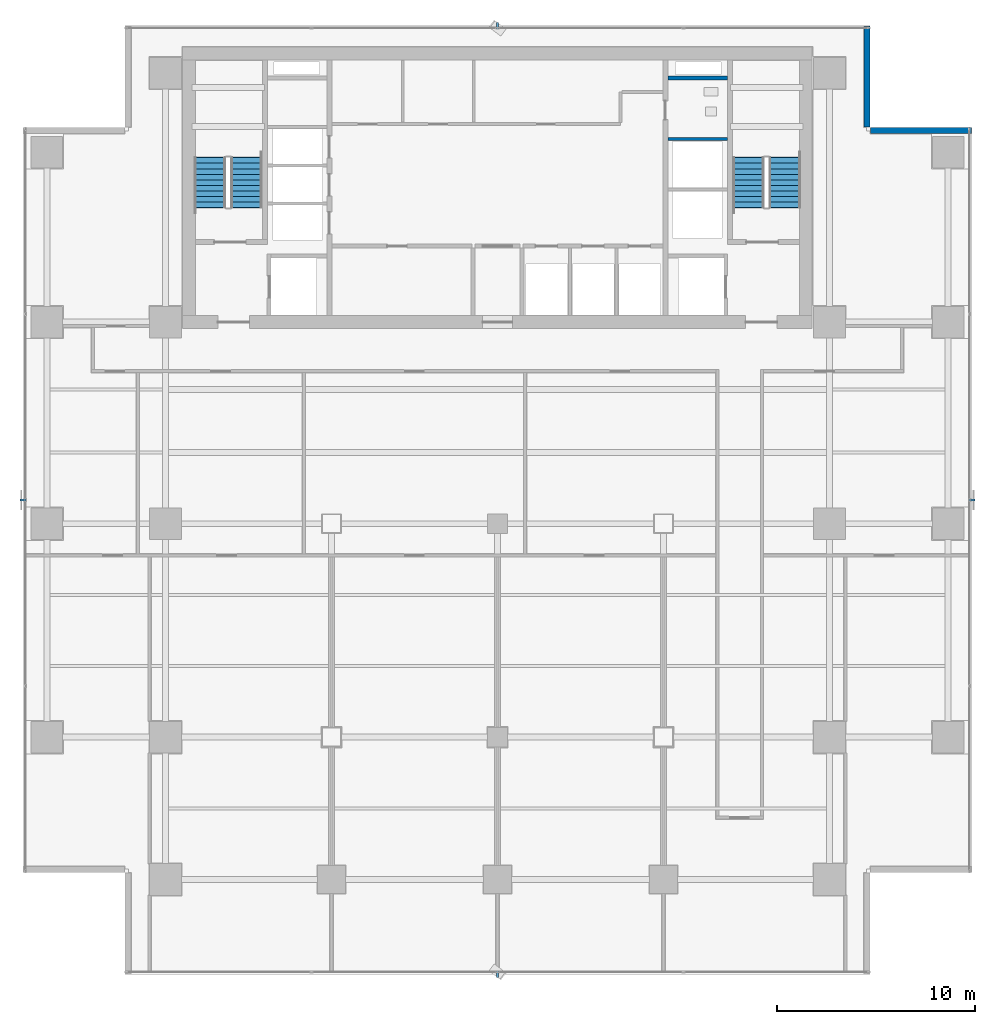
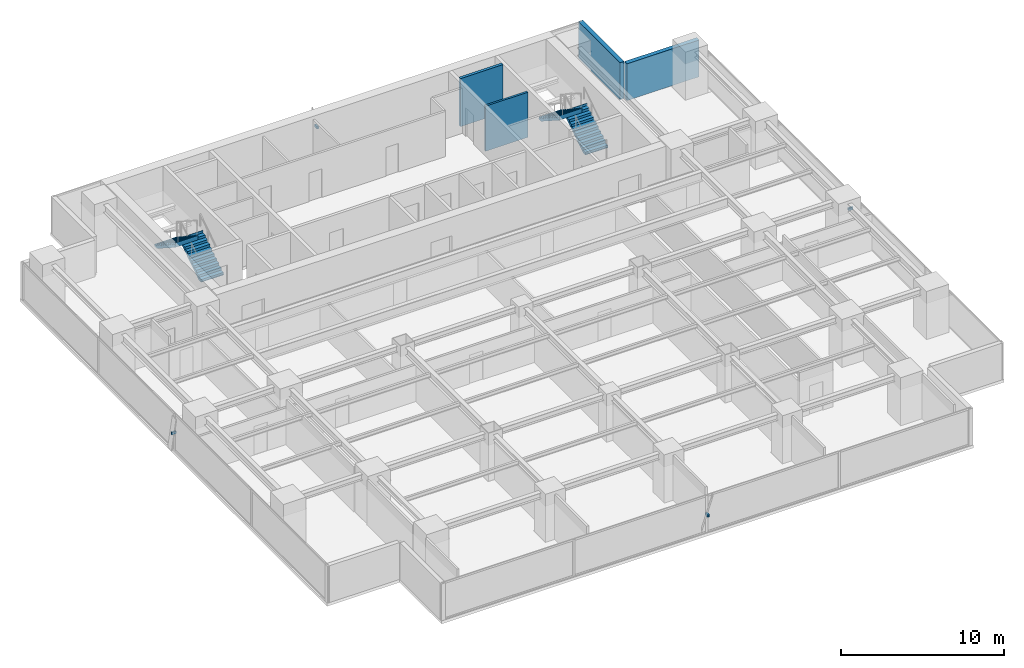
# One storey, part 23 of 28: 4 discrete accessories, 4 stair flights, 4 walls, 2 elements without a shape of their own.
"""IFC4 building model written with IfcOpenShell, lengths in metres."""

import ifcopenshell
import ifcopenshell.guid

model = None  # the IFC model being written
_history = None  # IfcOwnerHistory: only IFC2X3 demands one
_inside = {}  # id of a spatial element -> (the spatial element, [elements in it])
_under = {}  # id of a project, library or spatial element -> (it, [spatial elements below it])
_declared = {}  # id of a project -> (the project, [libraries it declares])
_typed = {}  # id of a type object -> (the type object, [elements of that type])
_made_of = {}  # id of a material, layer set ... -> (it, [elements and type objects made of it])


def new_model(schema):
    """Start an empty IFC model of exactly this schema.

    Asked for "IFC4X3", IfcOpenShell would pick the latest addendum, in which some entities
    have other attributes; the version numbers below select the first issue.
    IFC2X3 requires an IfcOwnerHistory on every rooted entity: one is made here for all.
    """
    global model, _history
    if schema == "IFC4X3":
        model = ifcopenshell.file(schema_version=(4, 3, 0, 0))
    else:
        model = ifcopenshell.file(schema=schema)
    _inside.clear()
    _under.clear()
    _declared.clear()
    _typed.clear()
    _made_of.clear()
    _history = None
    if model.schema == "IFC2X3":
        org = make("IfcOrganization", Name="unknown")
        user = make(
            "IfcPersonAndOrganization",
            ThePerson=make("IfcPerson", FamilyName="unknown"),
            TheOrganization=org,
        )
        app = make(
            "IfcApplication",
            ApplicationDeveloper=org,
            Version="unknown",
            ApplicationFullName="unknown",
            ApplicationIdentifier="unknown",
        )
        _history = make(
            "IfcOwnerHistory",
            OwningUser=user,
            OwningApplication=app,
            ChangeAction="ADDED",
            CreationDate=0,
        )
    return model


def make(cls, **values):
    """One entity of the class cls with the attributes given. An attribute that is None is left unset."""
    return model.create_entity(
        cls, **{name: value for name, value in values.items() if value is not None}
    )


def rooted(cls, **values):
    """An entity with a GlobalId (a new one), such as an element, a storey or a relation."""
    return make(cls, GlobalId=ifcopenshell.guid.new(), OwnerHistory=_history, **values)


def si_unit(unit_type, name, prefix=None):
    """IfcSIUnit, for example si_unit("LENGTHUNIT", "METRE", prefix="MILLI")."""
    return make("IfcSIUnit", UnitType=unit_type, Prefix=prefix, Name=name)


def assignment(units):
    """IfcUnitAssignment: the units of a project."""
    return None if units is None else make("IfcUnitAssignment", Units=units)


def point(xyz):
    """IfcCartesianPoint."""
    return None if xyz is None else make("IfcCartesianPoint", Coordinates=xyz)


def direction(xyz):
    """IfcDirection."""
    return None if xyz is None else make("IfcDirection", DirectionRatios=xyz)


def frame(location, z_axis=None, x_axis=None):
    """IfcAxis2Placement3D, a coordinate frame: its origin and axes. An axis left out is left unset."""
    return make(
        "IfcAxis2Placement3D",
        Location=point(location),
        Axis=direction(z_axis),
        RefDirection=direction(x_axis),
    )


def frame_2d(location, x_axis=None):
    """IfcAxis2Placement2D, a coordinate frame in the plane: its origin and x axis."""
    return make(
        "IfcAxis2Placement2D", Location=point(location), RefDirection=direction(x_axis)
    )


def origin():
    """The frame at (0, 0, 0) with its axes left unset."""
    return frame((0.0, 0.0, 0.0))


def origin_2d():
    """The frame at (0, 0) in the plane with its x axis left unset."""
    return frame_2d((0.0, 0.0))


def place(relative_to, where):
    """IfcLocalPlacement: puts the frame where relative to a parent placement (None: the world)."""
    return make(
        "IfcLocalPlacement", PlacementRelTo=relative_to, RelativePlacement=where
    )


def context(
    kind, dimensions, precision=None, world=None, true_north=None, identifier=None
):
    """IfcGeometricRepresentationContext, for example the 3D "Model" context."""
    return make(
        "IfcGeometricRepresentationContext",
        ContextIdentifier=identifier,
        ContextType=kind,
        CoordinateSpaceDimension=dimensions,
        Precision=precision,
        WorldCoordinateSystem=world,
        TrueNorth=true_north,
    )


def subcontext(parent, identifier, kind, view, scale=None):
    """IfcGeometricRepresentationSubContext, for example "Body" below "Model"."""
    return make(
        "IfcGeometricRepresentationSubContext",
        ContextIdentifier=identifier,
        ContextType=kind,
        ParentContext=parent,
        TargetScale=scale,
        TargetView=view,
    )


def project(units=None, contexts=None):
    """IfcProject with its units and contexts."""
    return rooted(
        "IfcProject",
        Name="project",
        RepresentationContexts=contexts,
        UnitsInContext=assignment(units),
    )


def spatial(cls, under=None, at=None, **own):
    """A site, building, storey or space (cls), placed at a placement, below another one or the project."""
    s = rooted(cls, ObjectPlacement=at, **own)
    if under is not None:
        _under.setdefault(under.id(), (under, []))[1].append(s)
    return s


def polyline(points):
    """IfcPolyline through the points."""
    return make("IfcPolyline", Points=[point(p) for p in points])


def profile(cls, at=None, kind="AREA", **sizes):
    """A parametric profile (cls). Its sizes go by their IFC names, for example OverallWidth=200.0."""
    return make(cls, ProfileType=kind, Position=at, **sizes)


def rectangle(**sizes):
    """IfcRectangleProfileDef."""
    return profile("IfcRectangleProfileDef", **sizes)


def outline(outer, holes=None, kind="AREA"):
    """IfcArbitraryClosedProfileDef: a profile drawn as a closed curve; with holes, ...WithVoids."""
    if holes is None:
        return make("IfcArbitraryClosedProfileDef", ProfileType=kind, OuterCurve=outer)
    return make(
        "IfcArbitraryProfileDefWithVoids",
        ProfileType=kind,
        OuterCurve=outer,
        InnerCurves=holes,
    )


def extrude(swept, where, along, depth):
    """IfcExtrudedAreaSolid: the profile swept, set in the frame where, extruded along a direction by depth."""
    return make(
        "IfcExtrudedAreaSolid",
        SweptArea=swept,
        Position=where,
        ExtrudedDirection=direction(along),
        Depth=depth,
    )


def shape(context_of_items, identifier, shape_type, items):
    """IfcShapeRepresentation: the items that make up one representation, for example the "Body"."""
    return make(
        "IfcShapeRepresentation",
        ContextOfItems=context_of_items,
        RepresentationIdentifier=identifier,
        RepresentationType=shape_type,
        Items=items,
    )


def source(mapping_origin, context_of_items, identifier, shape_type, items):
    """IfcRepresentationMap: a shape defined once, which mapped items show again and again."""
    return make(
        "IfcRepresentationMap",
        MappingOrigin=mapping_origin,
        MappedRepresentation=shape(context_of_items, identifier, shape_type, items),
    )


def transform(
    local_origin,
    x_axis=None,
    y_axis=None,
    z_axis=None,
    scale=None,
    scale2=None,
    scale3=None,
    uniform=True,
):
    """IfcCartesianTransformationOperator3D, or its non-uniform kind. x_axis, y_axis, z_axis: its Axis1, 2, 3."""
    if uniform:
        return make(
            "IfcCartesianTransformationOperator3D",
            Axis1=direction(x_axis),
            Axis2=direction(y_axis),
            LocalOrigin=point(local_origin),
            Scale=scale,
            Axis3=direction(z_axis),
        )
    return make(
        "IfcCartesianTransformationOperator3DnonUniform",
        Axis1=direction(x_axis),
        Axis2=direction(y_axis),
        LocalOrigin=point(local_origin),
        Scale=scale,
        Axis3=direction(z_axis),
        Scale2=scale2,
        Scale3=scale3,
    )


def mapped(mapping_source, mapping_target):
    """IfcMappedItem: shows the shape of a source again, moved by a transform."""
    return make(
        "IfcMappedItem", MappingSource=mapping_source, MappingTarget=mapping_target
    )


def material(Name=None, Category=None):
    """IfcMaterial."""
    return make("IfcMaterial", Name=Name, Category=Category)


def layer(
    of_material, thickness, ventilated=None, Name=None, Category=None, Priority=None
):
    """IfcMaterialLayer: one layer of a wall or slab, of a material (None: an air gap)."""
    return make(
        "IfcMaterialLayer",
        Material=of_material,
        LayerThickness=thickness,
        IsVentilated=ventilated,
        Name=Name,
        Category=Category,
        Priority=Priority,
    )


def layer_set(layers, Name=None):
    """IfcMaterialLayerSet."""
    return make("IfcMaterialLayerSet", MaterialLayers=layers, LayerSetName=Name)


def material_profile(
    of_material, cross_section, Name=None, Category=None, Priority=None
):
    """IfcMaterialProfile: a cross section and its material."""
    return make(
        "IfcMaterialProfile",
        Name=Name,
        Material=of_material,
        Profile=cross_section,
        Priority=Priority,
        Category=Category,
    )


def profile_set(profiles, Name=None, composite=None):
    """IfcMaterialProfileSet."""
    return make(
        "IfcMaterialProfileSet",
        Name=Name,
        MaterialProfiles=profiles,
        CompositeProfile=composite,
    )


def made_of(thing, what):
    """Note that an element or type object is made of a material, layer set ...; save() writes the relation."""
    if what is not None:
        _made_of.setdefault(what.id(), (what, []))[1].append(thing)
    return thing


def type_object(cls, material=None, **own):
    """A type object (cls), such as IfcWallType, which elements share."""
    return made_of(rooted(cls, **own), material)


def element(
    cls,
    number,
    at=None,
    inside=None,
    cuts=None,
    type_object=None,
    material=None,
    context=None,
    identifier="Body",
    shape_type=None,
    held_by="IfcProductDefinitionShape",
    body=None,
    shapes=None,
    **own,
):
    """One element of the class cls, such as IfcWall. Its Tag is "e" and its number.

    at: its placement. inside: the storey or other place that contains it. cuts: it is an
    opening in that element (IfcRelVoidsElement). A single representation is given by context,
    identifier, shape_type and body (its items); several are given by shapes. held_by: the class
    of the entity that holds the representations. save() writes the other relations.
    """
    e = rooted(cls, Tag="e%d" % number, ObjectPlacement=at, **own)
    if body is not None:
        shapes = [shape(context, identifier, shape_type, body)]
    if shapes is not None:
        e.Representation = make(held_by, Representations=shapes)
    if inside is not None:
        _inside.setdefault(inside.id(), (inside, []))[1].append(e)
    if cuts is not None:
        rooted(
            "IfcRelVoidsElement", RelatingBuildingElement=cuts, RelatedOpeningElement=e
        )
    if type_object is not None:
        _typed.setdefault(type_object.id(), (type_object, []))[1].append(e)
    return made_of(e, material)


def aggregate(whole, parts):
    """IfcRelAggregates: a whole, such as a stair, and the parts it consists of."""
    return rooted("IfcRelAggregates", RelatingObject=whole, RelatedObjects=parts)


def save(model, path):
    """Write the relations noted so far, then the file.

    IfcRelAggregates (storeys below a building ...), IfcRelContainedInSpatialStructure (elements
    in a storey), IfcRelDefinesByType, IfcRelAssociatesMaterial and IfcRelDeclares: one each for
    every whole, place, type object, material and project.
    """
    for whole, parts in _under.values():
        aggregate(whole, parts)
    for where, things in _inside.values():
        rooted(
            "IfcRelContainedInSpatialStructure",
            RelatedElements=things,
            RelatingStructure=where,
        )
    for kind, things in _typed.values():
        rooted("IfcRelDefinesByType", RelatedObjects=things, RelatingType=kind)
    for what, things in _made_of.values():
        rooted("IfcRelAssociatesMaterial", RelatedObjects=things, RelatingMaterial=what)
    for by, libraries in _declared.values():
        rooted("IfcRelDeclares", RelatingContext=by, RelatedDefinitions=libraries)
    model.write(path)


model = new_model("IFC4")

# Units and contexts
model_context = context("Model", 3, precision=1e-05, world=origin(), true_north=direction((0.0, 1.0)))
body_context = subcontext(model_context, "Body", "Model", "MODEL_VIEW")
ifc_project = project(units=[si_unit("LENGTHUNIT", "METRE"), si_unit("AREAUNIT", "SQUARE_METRE"), si_unit("VOLUMEUNIT", "CUBIC_METRE"), si_unit("PLANEANGLEUNIT", "RADIAN"), si_unit("MASSUNIT", "GRAM", prefix="KILO")], contexts=[model_context])

# Site, building, storey
site_placement = place(None, origin())
site = spatial("IfcSite", under=ifc_project, at=site_placement, CompositionType="ELEMENT")
building_placement = place(site_placement, origin())
building = spatial("IfcBuilding", under=site, at=building_placement, Name="Sumidabori Civic Tower", CompositionType="ELEMENT")
storey_placement = place(building_placement, frame((0.0, 0.0, 149.60009765625)))
storey = spatial("IfcBuildingStorey", under=building, at=storey_placement, Name="L38", CompositionType="ELEMENT", Elevation=149.60009765625)

# Walls
ifc_material_1 = material(Name="Concrete C50/60", Category="concrete")
ifc_layer_1 = layer(ifc_material_1, 0.199951171875, Name="Concrete C50/60")
ifc_layer_set_1 = layer_set([ifc_layer_1], Name="Concrete C50/60")
wall_type_1 = type_object("IfcWallType", Name="WL-SHAFT-200", PredefinedType="SHEAR", material=ifc_layer_set_1)
shared_shape_1 = source(origin(), body_context, "Body", "SweptSolid", [
    extrude(rectangle(XDim=3.02001953125, YDim=0.199951171875, at=frame_2d((1.510009765625, 0.0))), origin(), (0.0, 0.0, 1.0), 3.599853515625),
])
wall_1_placement = place(storey_placement, frame((8.625, 22.550048828125, 0.0), z_axis=(0.0, 0.0, 1.0), x_axis=(1.0, 0.0, 0.0)))
element("IfcWall", 1, at=wall_1_placement, inside=storey, type_object=wall_type_1, Name="Core Shear Wall L38 RIS2-S", PredefinedType="SHEAR", context=body_context, shape_type="MappedRepresentation", body=[
    mapped(shared_shape_1, transform((0.0, 0.0, 0.0), x_axis=(1.0, 0.0, 0.0), y_axis=(0.0, 1.0, 0.0), z_axis=(0.0, 0.0, 1.0), scale=1.0)),
])
ifc_material_2 = material(Name="Precast concrete C40/50", Category="concrete")
ifc_layer_2 = layer(ifc_material_2, 0.300048828125, Name="Precast concrete C40/50")
ifc_layer_set_2 = layer_set([ifc_layer_2], Name="Precast concrete C40/50")
wall_type_2 = type_object("IfcWallType", Name="WL-EXT-POD300", PredefinedType="STANDARD", material=ifc_layer_set_2)
shared_shape_2 = source(origin(), body_context, "Body", "SweptSolid", [
    extrude(rectangle(XDim=5.10986328125, YDim=0.300048828125, at=frame_2d((2.554931640625, 0.0))), origin(), (0.0, 0.0, 1.0), 2.760009765625),
])
for number, where, z_axis, x_axis, name in (
    (2, (23.97998046875, 19.89990234375, 0.0), (0.0, 0.0, 1.0), (-1.0, 0.0, 0.0), "Notched Corner Spandrel Band L38-05"),
    (3, (18.699951171875, 20.070068359375, 0.0), (0.0, 0.0, 1.0), (0.0, 1.0, 0.0), "Notched Corner Spandrel Band L38-06"),
):
    element("IfcWall", number, at=place(storey_placement, frame(where, z_axis=z_axis, x_axis=x_axis)), inside=storey, type_object=wall_type_2, Name=name, PredefinedType="STANDARD", context=body_context, shape_type="MappedRepresentation", body=[
        mapped(shared_shape_2, transform((0.0, 0.0, 0.0), x_axis=(1.0, 0.0, 0.0), y_axis=(0.0, 1.0, 0.0), z_axis=(0.0, 0.0, 1.0), scale=1.0)),
    ])
ifc_material_3 = material(Name="Gypsum Plasterboard Acoustic Partition")
ifc_layer_3 = layer(ifc_material_3, 0.14990234375, Name="Gypsum Plasterboard Acoustic Partition")
ifc_layer_set_3 = layer_set([ifc_layer_3], Name="Gypsum Plasterboard Acoustic Partition")
wall_type_3 = type_object("IfcWallType", Name="WL-PART-150", PredefinedType="PARTITIONING", material=ifc_layer_set_3)
shared_shape_3 = source(origin(), body_context, "Body", "SweptSolid", [
    extrude(rectangle(XDim=3.010009765625, YDim=0.14990234375, at=frame_2d((1.5048828125, 0.0))), origin(), (0.0, 0.0, 1.0), 3.3798828125),
])
wall_2_placement = place(storey_placement, frame((8.6298828125, 19.469970703125, 0.0), z_axis=(0.0, 0.0, 1.0), x_axis=(1.0, 0.0, 0.0)))
element("IfcWall", 4, at=wall_2_placement, inside=storey, type_object=wall_type_3, Name="Interior Partition WL:L38:DIV-OBS2", PredefinedType="PARTITIONING", context=body_context, shape_type="MappedRepresentation", body=[
    mapped(shared_shape_3, transform((0.0, 0.0, 0.0), x_axis=(1.0, 0.0, 0.0), y_axis=(0.0, 1.0, 0.0), z_axis=(0.0, 0.0, 1.0), scale=1.0)),
])

# Stair, stair flights
ifc_material_4 = material(Name="Concrete C40/50", Category="concrete")
stair_type = type_object("IfcStairType", Name="ST-CORE-1600", PredefinedType="HALF_TURN_STAIR", material=ifc_material_4)
stair_1_placement = place(storey_placement, origin())
stair_1 = element("IfcStair", 5, at=stair_1_placement, inside=storey, type_object=stair_type, Name="L38 ST-1", PredefinedType="HALF_TURN_STAIR")
stair_flight_type = type_object("IfcStairFlightType", Name="SF-CORE-1600", PredefinedType="STRAIGHT", material=ifc_material_4)
shared_shape_4 = source(origin(), body_context, "Body", "SweptSolid", [
    extrude(outline(polyline([(-0.02490234375, 0.0), (-0.02490234375, 0.0400390625), (0.0, 0.0400390625), (0.0, 0.179931640625), (0.280029296875, 0.179931640625), (0.280029296875, 0.360107421875), (0.56005859375, 0.360107421875), (0.56005859375, 0.5400390625), (0.840087890625, 0.5400390625), (0.840087890625, 0.719970703125), (1.1201171875, 0.719970703125), (1.1201171875, 0.89990234375), (1.39990234375, 0.89990234375), (1.39990234375, 1.080078125), (1.679931640625, 1.080078125), (1.679931640625, 1.260009765625), (1.9599609375, 1.260009765625), (1.9599609375, 1.43994140625), (2.239990234375, 1.43994140625), (2.239990234375, 1.6201171875), (2.52001953125, 1.6201171875), (2.52001953125, 1.800048828125), (2.544921875, 1.800048828125), (2.544921875, 1.650146484375), (2.52001953125, 1.44189453125), (0.277099609375, 0.0), (-0.02490234375, 0.0)])), frame((0.0, 0.800048828125, 0.0), z_axis=(0.0, -1.0, 0.0), x_axis=(1.0, 0.0, 0.0)), (0.0, 0.0, 1.0), 1.60009765625),
])
stair_flight_1_placement = place(storey_placement, frame((-12.699951171875, 16.0, 0.0), z_axis=(0.0, 0.0, 1.0), x_axis=(0.0, 1.0, 0.0)))
stair_flight_1 = element("IfcStairFlight", 6, at=stair_flight_1_placement, type_object=stair_flight_type, Name="ST-1 flight 1", NumberOfRisers=10, NumberOfTreads=9, PredefinedType="STRAIGHT", RiserHeight=0.18, TreadLength=0.28, context=body_context, shape_type="MappedRepresentation", body=[
    mapped(shared_shape_4, transform((0.0, 0.0, 0.0), x_axis=(1.0, 0.0, 0.0), y_axis=(0.0, 1.0, 0.0), z_axis=(0.0, 0.0, 1.0), scale=1.0)),
])
stair_flight_2_placement = place(storey_placement, frame((-14.5400390625, 18.52001953125, 1.7998046875), z_axis=(0.0, 0.0, 1.0), x_axis=(0.0, -1.0, 0.0)))
stair_flight_2 = element("IfcStairFlight", 7, at=stair_flight_2_placement, type_object=stair_flight_type, Name="ST-1 flight 2", NumberOfRisers=10, NumberOfTreads=9, PredefinedType="STRAIGHT", RiserHeight=0.18, TreadLength=0.28, context=body_context, shape_type="MappedRepresentation", body=[
    mapped(shared_shape_4, transform((0.0, 0.0, 0.0), x_axis=(1.0, 0.0, 0.0), y_axis=(0.0, 1.0, 0.0), z_axis=(0.0, 0.0, 1.0), scale=1.0)),
])
aggregate(stair_1, [stair_flight_1, stair_flight_2])

stair_2_placement = place(storey_placement, origin())
stair_2 = element("IfcStair", 8, at=stair_2_placement, inside=storey, type_object=stair_type, Name="L38 ST-2", PredefinedType="HALF_TURN_STAIR")
stair_flight_3_placement = place(storey_placement, frame((14.5400390625, 16.0, 0.0), z_axis=(0.0, 0.0, 1.0), x_axis=(0.0, 1.0, 0.0)))
stair_flight_3 = element("IfcStairFlight", 9, at=stair_flight_3_placement, type_object=stair_flight_type, Name="ST-2 flight 1", NumberOfRisers=10, NumberOfTreads=9, PredefinedType="STRAIGHT", RiserHeight=0.18, TreadLength=0.28, context=body_context, shape_type="MappedRepresentation", body=[
    mapped(shared_shape_4, transform((0.0, 0.0, 0.0), x_axis=(1.0, 0.0, 0.0), y_axis=(0.0, 1.0, 0.0), z_axis=(0.0, 0.0, 1.0), scale=1.0)),
])
stair_flight_4_placement = place(storey_placement, frame((12.699951171875, 18.52001953125, 1.7998046875), z_axis=(0.0, 0.0, 1.0), x_axis=(0.0, -1.0, 0.0)))
stair_flight_4 = element("IfcStairFlight", 10, at=stair_flight_4_placement, type_object=stair_flight_type, Name="ST-2 flight 2", NumberOfRisers=10, NumberOfTreads=9, PredefinedType="STRAIGHT", RiserHeight=0.18, TreadLength=0.28, context=body_context, shape_type="MappedRepresentation", body=[
    mapped(shared_shape_4, transform((0.0, 0.0, 0.0), x_axis=(1.0, 0.0, 0.0), y_axis=(0.0, 1.0, 0.0), z_axis=(0.0, 0.0, 1.0), scale=1.0)),
])
aggregate(stair_2, [stair_flight_3, stair_flight_4])

# Discrete accessories
ifc_material_5 = material(Name="Stainless Steel Hairline Finish", Category="steel")
ifc_material_profile = material_profile(ifc_material_5, rectangle(XDim=0.1201171875, YDim=0.179931640625, at=origin_2d()), Name="STEEL BRACKET 180x120")
ifc_profile_set = profile_set([ifc_material_profile], Name="Stainless Steel Hairline Finish")
discrete_accessory_type = type_object("IfcDiscreteAccessoryType", Name="AC-BRK-180", PredefinedType="BRACKET", material=ifc_profile_set)
shared_shape_5 = source(origin(), body_context, "Body", "SweptSolid", [
    extrude(rectangle(XDim=0.1201171875, YDim=0.179931640625, at=origin_2d()), origin(), (0.0, 0.0, 1.0), 0.329833984375),
])
for number, where, z_axis, x_axis, name in (
    (11, (23.830078125, 1.199951171875, 1.369873046875), (1.0, 0.0, 0.0), (0.0, 1.0, 0.0), "Bronze Fin Fixing Bracket L38-02"),
    (12, (-23.830078125, 1.199951171875, 1.369873046875), (-1.0, 0.0, 0.0), (0.0, -1.0, 0.0), "Bronze Fin Fixing Bracket L38-02"),
):
    element("IfcDiscreteAccessory", number, at=place(storey_placement, frame(where, z_axis=z_axis, x_axis=x_axis)), inside=storey, type_object=discrete_accessory_type, Name=name, PredefinedType="BRACKET", context=body_context, shape_type="MappedRepresentation", body=[
        mapped(shared_shape_5, transform((0.0, 0.0, 0.0), x_axis=(1.0, 0.0, 0.0), y_axis=(0.0, 1.0, 0.0), z_axis=(0.0, 0.0, 1.0), scale=1.0)),
    ])
shared_shape_6 = source(origin(), body_context, "Body", "SweptSolid", [
    extrude(rectangle(XDim=0.1201171875, YDim=0.179931640625, at=origin_2d()), origin(), (0.0, 0.0, 1.0), 0.330078125),
])
for number, where, z_axis, x_axis, name in (
    (13, (0.0, -22.6298828125, 1.369873046875), (0.0, -1.0, 0.0), (1.0, 0.0, 0.0), "Bronze Fin Fixing Bracket L38-02"),
    (14, (0.0, 25.030029296875, 1.369873046875), (0.0, 1.0, 0.0), (-1.0, 0.0, 0.0), "Bronze Fin Fixing Bracket L38-02"),
):
    element("IfcDiscreteAccessory", number, at=place(storey_placement, frame(where, z_axis=z_axis, x_axis=x_axis)), inside=storey, type_object=discrete_accessory_type, Name=name, PredefinedType="BRACKET", context=body_context, shape_type="MappedRepresentation", body=[
        mapped(shared_shape_6, transform((0.0, 0.0, 0.0), x_axis=(1.0, 0.0, 0.0), y_axis=(0.0, 1.0, 0.0), z_axis=(0.0, 0.0, 1.0), scale=1.0)),
    ])

save(model, "model.ifc")
